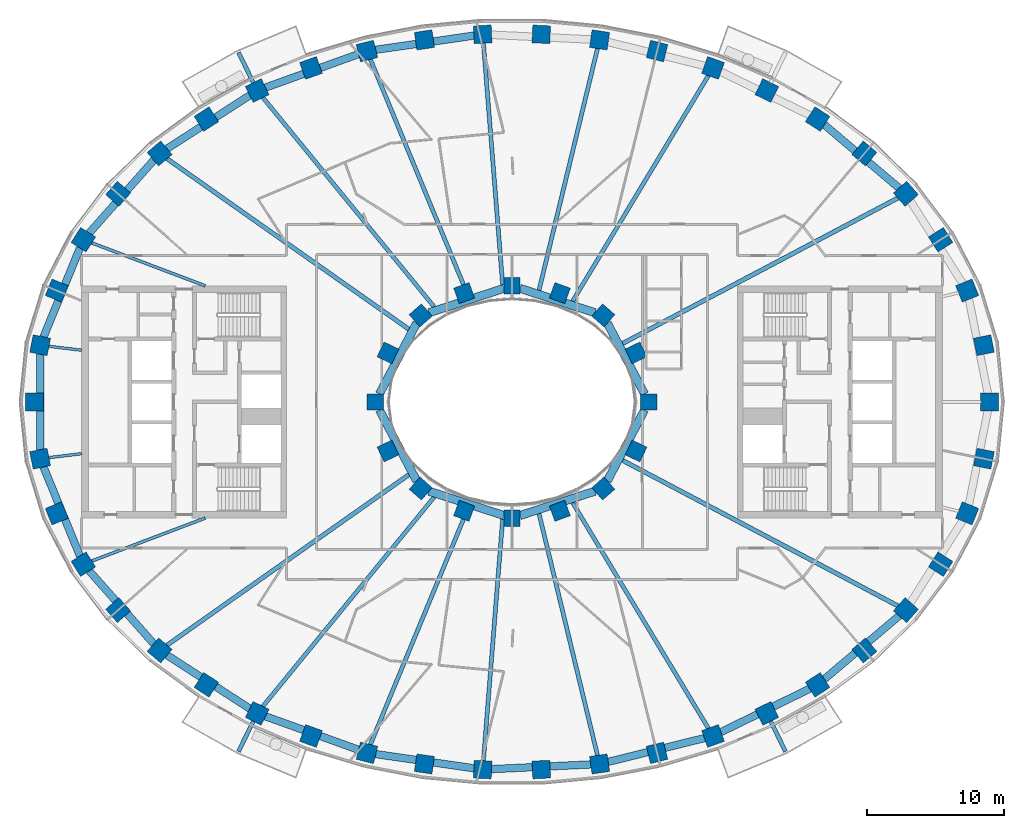
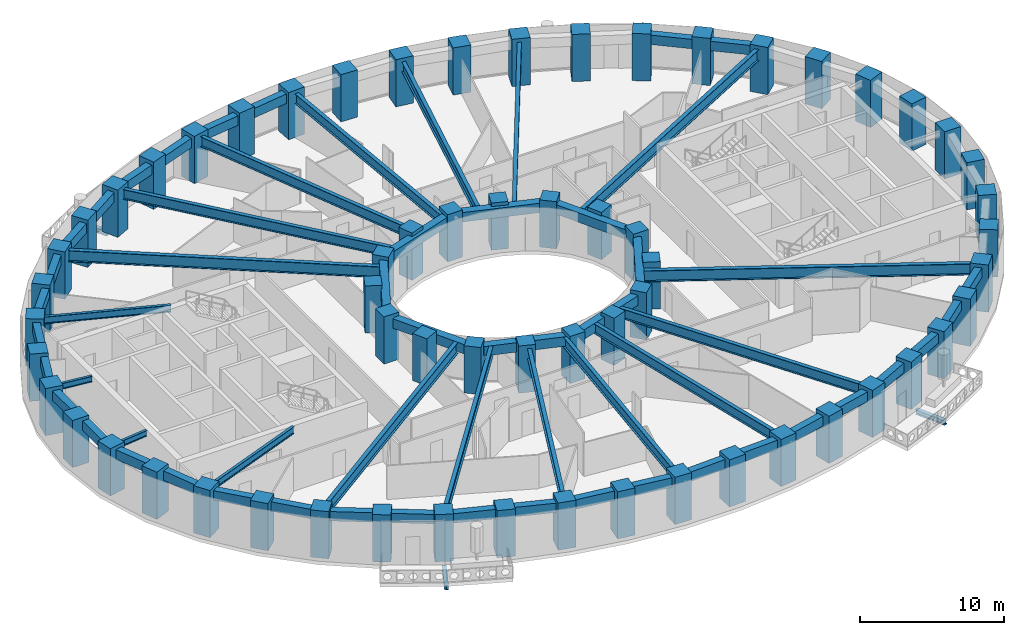
# One storey, part 1 of 15: 62 columns, 45 beams.
"""IFC4 building model written with IfcOpenShell, lengths in metres."""

import ifcopenshell
import ifcopenshell.guid

model = None  # the IFC model being written
_history = None  # IfcOwnerHistory: only IFC2X3 demands one
_inside = {}  # id of a spatial element -> (the spatial element, [elements in it])
_under = {}  # id of a project, library or spatial element -> (it, [spatial elements below it])
_declared = {}  # id of a project -> (the project, [libraries it declares])
_typed = {}  # id of a type object -> (the type object, [elements of that type])
_made_of = {}  # id of a material, layer set ... -> (it, [elements and type objects made of it])


def new_model(schema):
    """Start an empty IFC model of exactly this schema.

    Asked for "IFC4X3", IfcOpenShell would pick the latest addendum, in which some entities
    have other attributes; the version numbers below select the first issue.
    IFC2X3 requires an IfcOwnerHistory on every rooted entity: one is made here for all.
    """
    global model, _history
    if schema == "IFC4X3":
        model = ifcopenshell.file(schema_version=(4, 3, 0, 0))
    else:
        model = ifcopenshell.file(schema=schema)
    _inside.clear()
    _under.clear()
    _declared.clear()
    _typed.clear()
    _made_of.clear()
    _history = None
    if model.schema == "IFC2X3":
        org = make("IfcOrganization", Name="unknown")
        user = make(
            "IfcPersonAndOrganization",
            ThePerson=make("IfcPerson", FamilyName="unknown"),
            TheOrganization=org,
        )
        app = make(
            "IfcApplication",
            ApplicationDeveloper=org,
            Version="unknown",
            ApplicationFullName="unknown",
            ApplicationIdentifier="unknown",
        )
        _history = make(
            "IfcOwnerHistory",
            OwningUser=user,
            OwningApplication=app,
            ChangeAction="ADDED",
            CreationDate=0,
        )
    return model


def make(cls, **values):
    """One entity of the class cls with the attributes given. An attribute that is None is left unset."""
    return model.create_entity(
        cls, **{name: value for name, value in values.items() if value is not None}
    )


def rooted(cls, **values):
    """An entity with a GlobalId (a new one), such as an element, a storey or a relation."""
    return make(cls, GlobalId=ifcopenshell.guid.new(), OwnerHistory=_history, **values)


def si_unit(unit_type, name, prefix=None):
    """IfcSIUnit, for example si_unit("LENGTHUNIT", "METRE", prefix="MILLI")."""
    return make("IfcSIUnit", UnitType=unit_type, Prefix=prefix, Name=name)


def assignment(units):
    """IfcUnitAssignment: the units of a project."""
    return None if units is None else make("IfcUnitAssignment", Units=units)


def point(xyz):
    """IfcCartesianPoint."""
    return None if xyz is None else make("IfcCartesianPoint", Coordinates=xyz)


def direction(xyz):
    """IfcDirection."""
    return None if xyz is None else make("IfcDirection", DirectionRatios=xyz)


def frame(location, z_axis=None, x_axis=None):
    """IfcAxis2Placement3D, a coordinate frame: its origin and axes. An axis left out is left unset."""
    return make(
        "IfcAxis2Placement3D",
        Location=point(location),
        Axis=direction(z_axis),
        RefDirection=direction(x_axis),
    )


def frame_2d(location, x_axis=None):
    """IfcAxis2Placement2D, a coordinate frame in the plane: its origin and x axis."""
    return make(
        "IfcAxis2Placement2D", Location=point(location), RefDirection=direction(x_axis)
    )


def origin():
    """The frame at (0, 0, 0) with its axes left unset."""
    return frame((0.0, 0.0, 0.0))


def origin_2d():
    """The frame at (0, 0) in the plane with its x axis left unset."""
    return frame_2d((0.0, 0.0))


def place(relative_to, where):
    """IfcLocalPlacement: puts the frame where relative to a parent placement (None: the world)."""
    return make(
        "IfcLocalPlacement", PlacementRelTo=relative_to, RelativePlacement=where
    )


def context(
    kind, dimensions, precision=None, world=None, true_north=None, identifier=None
):
    """IfcGeometricRepresentationContext, for example the 3D "Model" context."""
    return make(
        "IfcGeometricRepresentationContext",
        ContextIdentifier=identifier,
        ContextType=kind,
        CoordinateSpaceDimension=dimensions,
        Precision=precision,
        WorldCoordinateSystem=world,
        TrueNorth=true_north,
    )


def subcontext(parent, identifier, kind, view, scale=None):
    """IfcGeometricRepresentationSubContext, for example "Body" below "Model"."""
    return make(
        "IfcGeometricRepresentationSubContext",
        ContextIdentifier=identifier,
        ContextType=kind,
        ParentContext=parent,
        TargetScale=scale,
        TargetView=view,
    )


def project(units=None, contexts=None):
    """IfcProject with its units and contexts."""
    return rooted(
        "IfcProject",
        Name="project",
        RepresentationContexts=contexts,
        UnitsInContext=assignment(units),
    )


def spatial(cls, under=None, at=None, **own):
    """A site, building, storey or space (cls), placed at a placement, below another one or the project."""
    s = rooted(cls, ObjectPlacement=at, **own)
    if under is not None:
        _under.setdefault(under.id(), (under, []))[1].append(s)
    return s


def profile(cls, at=None, kind="AREA", **sizes):
    """A parametric profile (cls). Its sizes go by their IFC names, for example OverallWidth=200.0."""
    return make(cls, ProfileType=kind, Position=at, **sizes)


def rectangle(**sizes):
    """IfcRectangleProfileDef."""
    return profile("IfcRectangleProfileDef", **sizes)


def i_section(**sizes):
    """IfcIShapeProfileDef."""
    return profile("IfcIShapeProfileDef", **sizes)


def extrude(swept, where, along, depth):
    """IfcExtrudedAreaSolid: the profile swept, set in the frame where, extruded along a direction by depth."""
    return make(
        "IfcExtrudedAreaSolid",
        SweptArea=swept,
        Position=where,
        ExtrudedDirection=direction(along),
        Depth=depth,
    )


def shape(context_of_items, identifier, shape_type, items):
    """IfcShapeRepresentation: the items that make up one representation, for example the "Body"."""
    return make(
        "IfcShapeRepresentation",
        ContextOfItems=context_of_items,
        RepresentationIdentifier=identifier,
        RepresentationType=shape_type,
        Items=items,
    )


def material(Name=None, Category=None):
    """IfcMaterial."""
    return make("IfcMaterial", Name=Name, Category=Category)


def material_profile(
    of_material, cross_section, Name=None, Category=None, Priority=None
):
    """IfcMaterialProfile: a cross section and its material."""
    return make(
        "IfcMaterialProfile",
        Name=Name,
        Material=of_material,
        Profile=cross_section,
        Priority=Priority,
        Category=Category,
    )


def profile_set(profiles, Name=None, composite=None):
    """IfcMaterialProfileSet."""
    return make(
        "IfcMaterialProfileSet",
        Name=Name,
        MaterialProfiles=profiles,
        CompositeProfile=composite,
    )


def made_of(thing, what):
    """Note that an element or type object is made of a material, layer set ...; save() writes the relation."""
    if what is not None:
        _made_of.setdefault(what.id(), (what, []))[1].append(thing)
    return thing


def type_object(cls, material=None, **own):
    """A type object (cls), such as IfcWallType, which elements share."""
    return made_of(rooted(cls, **own), material)


def element(
    cls,
    number,
    at=None,
    inside=None,
    cuts=None,
    type_object=None,
    material=None,
    context=None,
    identifier="Body",
    shape_type=None,
    held_by="IfcProductDefinitionShape",
    body=None,
    shapes=None,
    **own,
):
    """One element of the class cls, such as IfcWall. Its Tag is "e" and its number.

    at: its placement. inside: the storey or other place that contains it. cuts: it is an
    opening in that element (IfcRelVoidsElement). A single representation is given by context,
    identifier, shape_type and body (its items); several are given by shapes. held_by: the class
    of the entity that holds the representations. save() writes the other relations.
    """
    e = rooted(cls, Tag="e%d" % number, ObjectPlacement=at, **own)
    if body is not None:
        shapes = [shape(context, identifier, shape_type, body)]
    if shapes is not None:
        e.Representation = make(held_by, Representations=shapes)
    if inside is not None:
        _inside.setdefault(inside.id(), (inside, []))[1].append(e)
    if cuts is not None:
        rooted(
            "IfcRelVoidsElement", RelatingBuildingElement=cuts, RelatedOpeningElement=e
        )
    if type_object is not None:
        _typed.setdefault(type_object.id(), (type_object, []))[1].append(e)
    return made_of(e, material)


def aggregate(whole, parts):
    """IfcRelAggregates: a whole, such as a stair, and the parts it consists of."""
    return rooted("IfcRelAggregates", RelatingObject=whole, RelatedObjects=parts)


def save(model, path):
    """Write the relations noted so far, then the file.

    IfcRelAggregates (storeys below a building ...), IfcRelContainedInSpatialStructure (elements
    in a storey), IfcRelDefinesByType, IfcRelAssociatesMaterial and IfcRelDeclares: one each for
    every whole, place, type object, material and project.
    """
    for whole, parts in _under.values():
        aggregate(whole, parts)
    for where, things in _inside.values():
        rooted(
            "IfcRelContainedInSpatialStructure",
            RelatedElements=things,
            RelatingStructure=where,
        )
    for kind, things in _typed.values():
        rooted("IfcRelDefinesByType", RelatedObjects=things, RelatingType=kind)
    for what, things in _made_of.values():
        rooted("IfcRelAssociatesMaterial", RelatedObjects=things, RelatingMaterial=what)
    for by, libraries in _declared.values():
        rooted("IfcRelDeclares", RelatingContext=by, RelatedDefinitions=libraries)
    model.write(path)


model = new_model("IFC4")

# Units and contexts
model_context = context("Model", 3, precision=1e-05, world=origin(), true_north=direction((0.0, 1.0)))
body_context = subcontext(model_context, "Body", "Model", "MODEL_VIEW")
ifc_project = project(units=[si_unit("LENGTHUNIT", "METRE"), si_unit("AREAUNIT", "SQUARE_METRE"), si_unit("VOLUMEUNIT", "CUBIC_METRE"), si_unit("PLANEANGLEUNIT", "RADIAN"), si_unit("MASSUNIT", "GRAM", prefix="KILO")], contexts=[model_context])

# Site, building, storey
site_placement = place(None, origin())
site = spatial("IfcSite", under=ifc_project, at=site_placement, CompositionType="ELEMENT")
building_placement = place(site_placement, origin())
building = spatial("IfcBuilding", under=site, at=building_placement, Name="Noorbagh Ring Tower", CompositionType="ELEMENT")
storey_placement = place(building_placement, frame((0.0, 0.0, 92.0)))
storey = spatial("IfcBuildingStorey", under=building, at=storey_placement, Name="L20", CompositionType="ELEMENT", Elevation=92.0)

# Columns
ifc_material_1 = material(Name="Concrete C60/75", Category="concrete")
ifc_material_profile_1 = material_profile(ifc_material_1, rectangle(XDim=1.300048828125, YDim=1.300048828125, at=origin_2d()), Name="RC1300x1300")
ifc_profile_set_1 = profile_set([ifc_material_profile_1], Name="Concrete C60/75")
column_type_1 = type_object("IfcColumnType", Name="STR-COL-RC1300x1300-C60-75", PredefinedType="COLUMN", material=ifc_profile_set_1)
for number, where, z_axis, x_axis, name in (
    (1, (34.944580078125, 0.0, 0.0), (0.0, 0.0, 1.0), (0.0, 1.0, 0.0), "L20/col/R1-01"),
    (2, (34.52685546875, 4.150634765625, 0.0), (0.0, 0.0, 1.0), (-0.19723040178, 0.9803571638, 0.0), "L20/col/R1-02"),
    (3, (33.30517578125, 8.1494140625, 0.0), (0.0, 0.0, 1.0), (-0.378989499959, 0.925400971969, 0.0), "L20/col/R1-03"),
    (4, (31.364990234375, 11.87109375, 0.0), (0.0, 0.0, 1.0), (-0.535190403059, 0.844731455833, 0.0), "L20/col/R1-04"),
    (5, (28.81884765625, 15.23046875, 0.0), (0.0, 0.0, 1.0), (-0.662635642662, 0.748941923699, 0.0), "L20/col/R1-05"),
    (6, (25.78271484375, 18.180419921875, 0.0), (0.0, 0.0, 1.0), (-0.763035199656, 0.646356932419, 0.0), "L20/col/R1-06"),
    (7, (22.362060546875, 20.699951171875, 0.0), (0.0, 0.0, 1.0), (-0.840247639643, 0.542202825586, 0.0), "L20/col/R1-07"),
    (8, (18.646240234375, 22.785400390625, 0.0), (0.0, 0.0, 1.0), (-0.898399080868, 0.439180021741, 0.0), "L20/col/R1-08"),
    (9, (14.70947265625, 24.44091796875, 0.0), (0.0, 0.0, 1.0), (-0.941024726094, 0.338337797003, 0.0), "L20/col/R1-09"),
    (10, (10.61328125, 25.673583984375, 0.0), (0.0, 0.0, 1.0), (-0.970829360981, 0.239771457553, 0.0), "L20/col/R1-10"),
    (11, (6.4091796875, 26.49072265625, 0.0), (0.0, 0.0, 1.0), (-0.989713114048, 0.143066249975, 0.0), "L20/col/R1-11"),
    (12, (2.14306640625, 26.89794921875, 0.0), (0.0, 0.0, 1.0), (-0.998868731212, 0.047552684538, 0.0), "L20/col/R1-12"),
    (13, (-2.14306640625, 26.89794921875, 0.0), (0.0, 0.0, 1.0), (-0.998868731212, -0.047552684538, 0.0), "L20/col/R1-13"),
    (14, (-6.4091796875, 26.49072265625, 0.0), (0.0, 0.0, 1.0), (-0.989713114048, -0.143066249975, 0.0), "L20/col/R1-14"),
    (15, (-10.61328125, 25.673583984375, 0.0), (0.0, 0.0, 1.0), (-0.970829360981, -0.239771457553, 0.0), "L20/col/R1-15"),
    (16, (-14.70947265625, 24.44091796875, 0.0), (0.0, 0.0, 1.0), (-0.941024726094, -0.338337797003, 0.0), "L20/col/R1-16"),
    (17, (-18.646240234375, 22.785400390625, 0.0), (0.0, 0.0, 1.0), (-0.898399080868, -0.439180021741, 0.0), "L20/col/R1-17"),
    (18, (-22.362060546875, 20.699951171875, 0.0), (0.0, 0.0, 1.0), (-0.840247639643, -0.542202825586, 0.0), "L20/col/R1-18"),
    (19, (-25.78271484375, 18.180419921875, 0.0), (0.0, 0.0, 1.0), (-0.763035199656, -0.646356932419, 0.0), "L20/col/R1-19"),
    (20, (-28.81884765625, 15.23046875, 0.0), (0.0, 0.0, 1.0), (-0.662635642662, -0.748941923699, 0.0), "L20/col/R1-20"),
    (21, (-31.364990234375, 11.87109375, 0.0), (0.0, 0.0, 1.0), (-0.535190403059, -0.844731455833, 0.0), "L20/col/R1-21"),
    (22, (-33.30517578125, 8.1494140625, 0.0), (0.0, 0.0, 1.0), (-0.378989499959, -0.925400971969, 0.0), "L20/col/R1-22"),
    (23, (-34.52685546875, 4.150634765625, 0.0), (0.0, 0.0, 1.0), (-0.19723040178, -0.9803571638, 0.0), "L20/col/R1-23"),
    (24, (-34.944580078125, 0.0, 0.0), (0.0, 0.0, 1.0), (0.0, -1.0, 0.0), "L20/col/R1-24"),
    (25, (-34.52685546875, -4.150634765625, 0.0), (0.0, 0.0, 1.0), (0.19723040178, -0.9803571638, 0.0), "L20/col/R1-25"),
    (26, (-33.30517578125, -8.1494140625, 0.0), (0.0, 0.0, 1.0), (0.378989499959, -0.925400971969, 0.0), "L20/col/R1-26"),
    (27, (-31.364990234375, -11.87109375, 0.0), (0.0, 0.0, 1.0), (0.535190403059, -0.844731455833, 0.0), "L20/col/R1-27"),
    (28, (-28.81884765625, -15.23046875, 0.0), (0.0, 0.0, 1.0), (0.662635642662, -0.748941923699, 0.0), "L20/col/R1-28"),
    (29, (-25.78271484375, -18.180419921875, 0.0), (0.0, 0.0, 1.0), (0.763035199656, -0.646356932419, 0.0), "L20/col/R1-29"),
    (30, (-22.362060546875, -20.699951171875, 0.0), (0.0, 0.0, 1.0), (0.840247639643, -0.542202825586, 0.0), "L20/col/R1-30"),
    (31, (-18.646240234375, -22.785400390625, 0.0), (0.0, 0.0, 1.0), (0.898399080868, -0.439180021741, 0.0), "L20/col/R1-31"),
    (32, (-14.70947265625, -24.44091796875, 0.0), (0.0, 0.0, 1.0), (0.941024726094, -0.338337797003, 0.0), "L20/col/R1-32"),
    (33, (-10.61328125, -25.673583984375, 0.0), (0.0, 0.0, 1.0), (0.970829360981, -0.239771457553, 0.0), "L20/col/R1-33"),
    (34, (-6.4091796875, -26.49072265625, 0.0), (0.0, 0.0, 1.0), (0.989713114048, -0.143066249975, 0.0), "L20/col/R1-34"),
    (35, (-2.14306640625, -26.89794921875, 0.0), (0.0, 0.0, 1.0), (0.998868731212, -0.047552684538, 0.0), "L20/col/R1-35"),
    (36, (2.14306640625, -26.89794921875, 0.0), (0.0, 0.0, 1.0), (0.998868731212, 0.047552684538, 0.0), "L20/col/R1-36"),
    (37, (6.4091796875, -26.49072265625, 0.0), (0.0, 0.0, 1.0), (0.989713114048, 0.143066249975, 0.0), "L20/col/R1-37"),
    (38, (10.61328125, -25.673583984375, 0.0), (0.0, 0.0, 1.0), (0.970829360981, 0.239771457553, 0.0), "L20/col/R1-38"),
    (39, (14.70947265625, -24.44091796875, 0.0), (0.0, 0.0, 1.0), (0.941024726094, 0.338337797003, 0.0), "L20/col/R1-39"),
    (40, (18.646240234375, -22.785400390625, 0.0), (0.0, 0.0, 1.0), (0.898399080868, 0.439180021741, 0.0), "L20/col/R1-40"),
    (41, (22.362060546875, -20.699951171875, 0.0), (0.0, 0.0, 1.0), (0.840247639643, 0.542202825586, 0.0), "L20/col/R1-41"),
    (42, (25.78271484375, -18.180419921875, 0.0), (0.0, 0.0, 1.0), (0.763035199656, 0.646356932419, 0.0), "L20/col/R1-42"),
    (43, (28.81884765625, -15.23046875, 0.0), (0.0, 0.0, 1.0), (0.662635642662, 0.748941923699, 0.0), "L20/col/R1-43"),
    (44, (31.364990234375, -11.87109375, 0.0), (0.0, 0.0, 1.0), (0.535190403059, 0.844731455833, 0.0), "L20/col/R1-44"),
    (45, (33.30517578125, -8.1494140625, 0.0), (0.0, 0.0, 1.0), (0.378989499959, 0.925400971969, 0.0), "L20/col/R1-45"),
    (46, (34.52685546875, -4.150634765625, 0.0), (0.0, 0.0, 1.0), (0.19723040178, 0.9803571638, 0.0), "L20/col/R1-46"),
):
    element("IfcColumn", number, at=place(storey_placement, frame(where, z_axis=z_axis, x_axis=x_axis)), inside=storey, type_object=column_type_1, Name=name, PredefinedType="COLUMN", context=body_context, shape_type="SweptSolid", body=[
        extrude(rectangle(XDim=1.300048828125, YDim=1.300048828125, at=origin_2d()), origin(), (0.0, 0.0, 1.0), 4.0),
    ])
ifc_material_2 = material(Name="Concrete C60/75", Category="concrete")
ifc_material_profile_2 = material_profile(ifc_material_2, rectangle(XDim=1.199951171875, YDim=1.199951171875, at=origin_2d()), Name="RC1200x1200")
ifc_profile_set_2 = profile_set([ifc_material_profile_2], Name="Concrete C60/75")
column_type_2 = type_object("IfcColumnType", Name="STR-ICOL-RC1200x1200-C60-75", PredefinedType="COLUMN", material=ifc_profile_set_2)
for number, where, z_axis, x_axis, name in (
    (47, (10.00830078125, 0.0, 0.0), (0.0, 0.0, 1.0), (0.0, 1.0, 0.0), "L20/col/IR2-W01"),
    (48, (9.07568359375, 3.58837890625, 0.0), (0.0, 0.0, 1.0), (-0.428666979171, 0.903462573087, 0.0), "L20/col/IR2-W03"),
    (49, (6.68212890625, 6.333740234375, 0.0), (0.0, 0.0, 1.0), (-0.75102249095, 0.660276622399, 0.0), "L20/col/IR2-W05"),
    (50, (3.5009765625, 7.967041015625, 0.0), (0.0, 0.0, 1.0), (-0.939019578916, 0.343863679984, 0.0), "L20/col/IR2-W07"),
    (51, (0.0, 8.5029296875, 0.0), (0.0, 0.0, 1.0), (-1.0, 0.0, 0.0), "L20/col/IR2-W09"),
    (52, (-3.5009765625, 7.967041015625, 0.0), (0.0, 0.0, 1.0), (-0.939019578916, -0.343863679984, 0.0), "L20/col/IR2-W11"),
    (53, (-6.68212890625, 6.333740234375, 0.0), (0.0, 0.0, 1.0), (-0.75102249095, -0.660276622399, 0.0), "L20/col/IR2-W13"),
    (54, (-9.07568359375, 3.58837890625, 0.0), (0.0, 0.0, 1.0), (-0.428666979171, -0.903462573087, 0.0), "L20/col/IR2-W15"),
    (55, (-10.00830078125, 0.0, 0.0), (0.0, 0.0, 1.0), (0.0, -1.0, 0.0), "L20/col/IR2-W17"),
    (56, (-9.07568359375, -3.58837890625, 0.0), (0.0, 0.0, 1.0), (0.428666979171, -0.903462573087, 0.0), "L20/col/IR2-W19"),
    (57, (-6.68212890625, -6.333740234375, 0.0), (0.0, 0.0, 1.0), (0.75102249095, -0.660276622399, 0.0), "L20/col/IR2-W21"),
    (58, (-3.5009765625, -7.967041015625, 0.0), (0.0, 0.0, 1.0), (0.939019578916, -0.343863679984, 0.0), "L20/col/IR2-W23"),
    (59, (0.0, -8.5029296875, 0.0), (0.0, 0.0, 1.0), (1.0, 0.0, 0.0), "L20/col/IR2-W25"),
    (60, (3.5009765625, -7.967041015625, 0.0), (0.0, 0.0, 1.0), (0.939019578916, 0.343863679984, 0.0), "L20/col/IR2-W27"),
    (61, (6.68212890625, -6.333740234375, 0.0), (0.0, 0.0, 1.0), (0.75102249095, 0.660276622399, 0.0), "L20/col/IR2-W29"),
    (62, (9.07568359375, -3.58837890625, 0.0), (0.0, 0.0, 1.0), (0.428666979171, 0.903462573087, 0.0), "L20/col/IR2-W31"),
):
    element("IfcColumn", number, at=place(storey_placement, frame(where, z_axis=z_axis, x_axis=x_axis)), inside=storey, type_object=column_type_2, Name=name, PredefinedType="COLUMN", context=body_context, shape_type="SweptSolid", body=[
        extrude(rectangle(XDim=1.199951171875, YDim=1.199951171875, at=origin_2d()), origin(), (0.0, 0.0, 1.0), 4.0),
    ])

# Beams
ifc_material_3 = material(Name="Steel S355", Category="steel")
ifc_material_profile_3 = material_profile(ifc_material_3, i_section(OverallWidth=0.300048828125, OverallDepth=0.39990234375, WebThickness=0.013427734375, FlangeThickness=0.02392578125, FilletRadius=0.027099609375, at=origin_2d()), Name="HEB400")
ifc_profile_set_3 = profile_set([ifc_material_profile_3], Name="Steel S355")
beam_type_1 = type_object("IfcBeamType", Name="STR-BALCONY-BRACKET-HEB400", PredefinedType="BEAM", material=ifc_profile_set_3)
for number, where, z_axis, x_axis, name in (
    (63, (-18.923095703125, 23.351318359375, -0.5), (-0.439226053648, 0.89837657683, 0.0), (-0.89837657683, -0.439226053648, 0.0), "Balcony bracket beam BN05"),
    (64, (-18.923095703125, -23.351318359375, -0.5), (-0.439226053648, -0.89837657683, 0.0), (0.89837657683, -0.439226053648, 0.0), "Balcony bracket beam BS02"),
    (65, (18.923095703125, -23.351318359375, -0.5), (0.439226053648, -0.89837657683, 0.0), (0.89837657683, 0.439226053648, 0.0), "Balcony bracket beam BS05"),
):
    element("IfcBeam", number, at=place(storey_placement, frame(where, z_axis=z_axis, x_axis=x_axis)), inside=storey, type_object=beam_type_1, Name=name, PredefinedType="BEAM", context=body_context, shape_type="SweptSolid", body=[
        extrude(i_section(OverallWidth=0.300048828125, OverallDepth=0.39990234375, WebThickness=0.013427734375, FlangeThickness=0.02392578125, FilletRadius=0.027099609375, at=origin_2d()), origin(), (0.0, 0.0, 1.0), 2.47509765625),
    ])
ifc_material_4 = material(Name="Steel S355", Category="steel")
ifc_material_profile_4 = material_profile(ifc_material_4, i_section(OverallWidth=0.199951171875, OverallDepth=0.5, WebThickness=0.01025390625, FlangeThickness=0.01611328125, FilletRadius=0.02099609375, at=origin_2d()), Name="IPE500")
ifc_profile_set_4 = profile_set([ifc_material_profile_4], Name="Steel S355")
beam_type_2 = type_object("IfcBeamType", Name="STR-RAD-IPE500", PredefinedType="BEAM", material=ifc_profile_set_4)
for number, where, z_axis, x_axis, name in (
    (66, (-33.899169921875, 4.0751953125, 3.449951171875), (0.992852635549, -0.119346738892, 0.0), (0.119346738892, 0.992852635549, 0.0), "L20/bm/RD23"),
    (67, (-33.899169921875, -4.0751953125, 3.449951171875), (0.992852635549, 0.119346738892, 0.0), (-0.119346738892, 0.992852635549, 0.0), "L20/bm/RD25"),
):
    element("IfcBeam", number, at=place(storey_placement, frame(where, z_axis=z_axis, x_axis=x_axis)), inside=storey, type_object=beam_type_2, Name=name, PredefinedType="BEAM", context=body_context, shape_type="SweptSolid", body=[
        extrude(i_section(OverallWidth=0.199951171875, OverallDepth=0.5, WebThickness=0.01025390625, FlangeThickness=0.01611328125, FilletRadius=0.02099609375, at=origin_2d()), origin(), (0.0, 0.0, 1.0), 2.436279296875),
    ])
ifc_material_5 = material(Name="Steel S355", Category="steel")
ifc_material_profile_5 = material_profile(ifc_material_5, i_section(OverallWidth=0.219970703125, OverallDepth=0.60009765625, WebThickness=0.011962890625, FlangeThickness=0.01904296875, FilletRadius=0.02392578125, at=origin_2d()), Name="IPE600")
ifc_profile_set_5 = profile_set([ifc_material_profile_5], Name="Steel S355")
beam_type_3 = type_object("IfcBeamType", Name="STR-RAD-IPE600", PredefinedType="BEAM", material=ifc_profile_set_5)
for number, where, z_axis, x_axis, name in (
    (68, (-30.762939453125, 11.64306640625, 3.39990234375), (0.935256068659, -0.353971871815, 0.0), (0.353971871815, 0.935256068659, 0.0), "L20/bm/RD21"),
    (69, (-30.762939453125, -11.64306640625, 3.39990234375), (0.935256068659, 0.353971871815, 0.0), (-0.353971871815, 0.935256068659, 0.0), "L20/bm/RD27"),
):
    element("IfcBeam", number, at=place(storey_placement, frame(where, z_axis=z_axis, x_axis=x_axis)), inside=storey, type_object=beam_type_3, Name=name, PredefinedType="BEAM", context=body_context, shape_type="SweptSolid", body=[
        extrude(i_section(OverallWidth=0.219970703125, OverallDepth=0.60009765625, WebThickness=0.011962890625, FlangeThickness=0.01904296875, FilletRadius=0.02392578125, at=origin_2d()), origin(), (0.0, 0.0, 1.0), 8.8994140625),
    ])
ifc_material_6 = material(Name="Steel S355", Category="steel")
ifc_material_profile_6 = material_profile(ifc_material_6, i_section(OverallWidth=0.300048828125, OverallDepth=0.85009765625, WebThickness=0.013916015625, FlangeThickness=0.028076171875, at=origin_2d()), Name="PG850x300x14x28")
ifc_profile_set_6 = profile_set([ifc_material_profile_6], Name="Steel S355")
beam_type_4 = type_object("IfcBeamType", Name="STR-RAD-PG850x300x14x28", PredefinedType="BEAM", material=ifc_profile_set_6)
beam_1_placement = place(storey_placement, frame((14.378173828125, 23.89013671875, 3.27490234375), z_axis=(-0.515660214946, -0.85679317383, 0.0), x_axis=(0.85679317383, -0.515660214946, 0.0)))
element("IfcBeam", 70, at=beam_1_placement, inside=storey, type_object=beam_type_4, Name="L20/bm/RD09", PredefinedType="BEAM", context=body_context, shape_type="SweptSolid", body=[
    extrude(i_section(OverallWidth=0.300048828125, OverallDepth=0.85009765625, WebThickness=0.013916015625, FlangeThickness=0.028076171875, at=origin_2d()), origin(), (0.0, 0.0, 1.0), 19.293212890625),
])
beam_2_placement = place(storey_placement, frame((6.260498046875, 25.875732421875, 3.27490234375), z_axis=(-0.235164579981, -0.971955564994, 0.0), x_axis=(0.971955564994, -0.235164579981, 0.0)))
element("IfcBeam", 71, at=beam_2_placement, inside=storey, type_object=beam_type_4, Name="L20/bm/RD11", PredefinedType="BEAM", context=body_context, shape_type="SweptSolid", body=[
    extrude(i_section(OverallWidth=0.300048828125, OverallDepth=0.85009765625, WebThickness=0.013916015625, FlangeThickness=0.028076171875, at=origin_2d()), origin(), (0.0, 0.0, 1.0), 18.230224609375),
])
beam_3_placement = place(storey_placement, frame((-2.093017578125, 26.26953125, 3.27490234375), z_axis=(0.079419392273, -0.996841291345, 0.0), x_axis=(0.996841291345, 0.079419392273, 0.0)))
element("IfcBeam", 72, at=beam_3_placement, inside=storey, type_object=beam_type_4, Name="L20/bm/RD13", PredefinedType="BEAM", context=body_context, shape_type="SweptSolid", body=[
    extrude(i_section(OverallWidth=0.300048828125, OverallDepth=0.85009765625, WebThickness=0.013916015625, FlangeThickness=0.028076171875, at=origin_2d()), origin(), (0.0, 0.0, 1.0), 17.749755859375),
])
beam_4_placement = place(storey_placement, frame((-10.36962890625, 25.084716796875, 3.27490234375), z_axis=(0.38202515603, -0.924151924826, 0.0), x_axis=(0.924151924826, 0.38202515603, 0.0)))
element("IfcBeam", 73, at=beam_4_placement, inside=storey, type_object=beam_type_4, Name="L20/bm/RD15", PredefinedType="BEAM", context=body_context, shape_type="SweptSolid", body=[
    extrude(i_section(OverallWidth=0.300048828125, OverallDepth=0.85009765625, WebThickness=0.013916015625, FlangeThickness=0.028076171875, at=origin_2d()), origin(), (0.0, 0.0, 1.0), 18.750244140625),
])
for number, where, z_axis, x_axis, name in (
    (74, (-18.236083984375, 22.2841796875, 3.27490234375), (0.6333069067, -0.773900744234, 0.0), (0.773900744234, 0.6333069067, 0.0), "L20/bm/RD17"),
    (75, (-18.236083984375, -22.2841796875, 3.27490234375), (0.6333069067, 0.773900744234, 0.0), (-0.773900744234, 0.6333069067, 0.0), "L20/bm/RD31"),
):
    element("IfcBeam", number, at=place(storey_placement, frame(where, z_axis=z_axis, x_axis=x_axis)), inside=storey, type_object=beam_type_4, Name=name, PredefinedType="BEAM", context=body_context, shape_type="SweptSolid", body=[
        extrude(i_section(OverallWidth=0.300048828125, OverallDepth=0.85009765625, WebThickness=0.013916015625, FlangeThickness=0.028076171875, at=origin_2d()), origin(), (0.0, 0.0, 1.0), 19.811767578125),
    ])
beam_5_placement = place(storey_placement, frame((-10.36962890625, -25.084716796875, 3.27490234375), z_axis=(0.38202515603, 0.924151924826, 0.0), x_axis=(-0.924151924826, 0.38202515603, 0.0)))
element("IfcBeam", 76, at=beam_5_placement, inside=storey, type_object=beam_type_4, Name="L20/bm/RD33", PredefinedType="BEAM", context=body_context, shape_type="SweptSolid", body=[
    extrude(i_section(OverallWidth=0.300048828125, OverallDepth=0.85009765625, WebThickness=0.013916015625, FlangeThickness=0.028076171875, at=origin_2d()), origin(), (0.0, 0.0, 1.0), 18.750244140625),
])
beam_6_placement = place(storey_placement, frame((-2.093017578125, -26.26953125, 3.27490234375), z_axis=(0.079419392273, 0.996841291345, 0.0), x_axis=(-0.996841291345, 0.079419392273, 0.0)))
element("IfcBeam", 77, at=beam_6_placement, inside=storey, type_object=beam_type_4, Name="L20/bm/RD35", PredefinedType="BEAM", context=body_context, shape_type="SweptSolid", body=[
    extrude(i_section(OverallWidth=0.300048828125, OverallDepth=0.85009765625, WebThickness=0.013916015625, FlangeThickness=0.028076171875, at=origin_2d()), origin(), (0.0, 0.0, 1.0), 17.749755859375),
])
beam_7_placement = place(storey_placement, frame((6.260498046875, -25.875732421875, 3.27490234375), z_axis=(-0.235164579981, 0.971955564994, 0.0), x_axis=(-0.971955564994, -0.235164579981, 0.0)))
element("IfcBeam", 78, at=beam_7_placement, inside=storey, type_object=beam_type_4, Name="L20/bm/RD37", PredefinedType="BEAM", context=body_context, shape_type="SweptSolid", body=[
    extrude(i_section(OverallWidth=0.300048828125, OverallDepth=0.85009765625, WebThickness=0.013916015625, FlangeThickness=0.028076171875, at=origin_2d()), origin(), (0.0, 0.0, 1.0), 18.230224609375),
])
beam_8_placement = place(storey_placement, frame((14.378173828125, -23.89013671875, 3.27490234375), z_axis=(-0.515660214946, 0.85679317383, 0.0), x_axis=(-0.85679317383, -0.515660214946, 0.0)))
element("IfcBeam", 79, at=beam_8_placement, inside=storey, type_object=beam_type_4, Name="L20/bm/RD39", PredefinedType="BEAM", context=body_context, shape_type="SweptSolid", body=[
    extrude(i_section(OverallWidth=0.300048828125, OverallDepth=0.85009765625, WebThickness=0.013916015625, FlangeThickness=0.028076171875, at=origin_2d()), origin(), (0.0, 0.0, 1.0), 19.293212890625),
])
ifc_material_7 = material(Name="Steel S355", Category="steel")
ifc_material_profile_7 = material_profile(ifc_material_7, i_section(OverallWidth=0.320068359375, OverallDepth=0.949951171875, WebThickness=0.01611328125, FlangeThickness=0.030029296875, at=origin_2d()), Name="PG950x320x16x30")
ifc_profile_set_7 = profile_set([ifc_material_profile_7], Name="Steel S355")
beam_type_5 = type_object("IfcBeamType", Name="STR-RAD-PG950x320x16x30", PredefinedType="BEAM", material=ifc_profile_set_7)
beam_9_placement = place(storey_placement, frame((28.2451171875, 14.92724609375, 3.22509765625), z_axis=(-0.8841222966, -0.467255566746, 0.0), x_axis=(0.467255566746, -0.8841222966, 0.0)))
element("IfcBeam", 80, at=beam_9_placement, inside=storey, type_object=beam_type_5, Name="L20/bm/RD05", PredefinedType="BEAM", context=body_context, shape_type="SweptSolid", body=[
    extrude(i_section(OverallWidth=0.320068359375, OverallDepth=0.949951171875, WebThickness=0.01611328125, FlangeThickness=0.030029296875, at=origin_2d()), origin(), (0.0, 0.0, 1.0), 22.80615234375),
])
for number, where, z_axis, x_axis, name in (
    (81, (-25.250244140625, 17.804931640625, 3.22509765625), (0.817253985622, -0.57627764401, 0.0), (0.57627764401, 0.817253985622, 0.0), "L20/bm/RD19"),
    (82, (-25.250244140625, -17.804931640625, 3.22509765625), (0.817253985622, 0.57627764401, 0.0), (-0.57627764401, 0.817253985622, 0.0), "L20/bm/RD29"),
):
    element("IfcBeam", number, at=place(storey_placement, frame(where, z_axis=z_axis, x_axis=x_axis)), inside=storey, type_object=beam_type_5, Name=name, PredefinedType="BEAM", context=body_context, shape_type="SweptSolid", body=[
        extrude(i_section(OverallWidth=0.320068359375, OverallDepth=0.949951171875, WebThickness=0.01611328125, FlangeThickness=0.030029296875, at=origin_2d()), origin(), (0.0, 0.0, 1.0), 21.677001953125),
    ])
beam_10_placement = place(storey_placement, frame((28.2451171875, -14.92724609375, 3.22509765625), z_axis=(-0.8841222966, 0.467255566746, 0.0), x_axis=(-0.467255566746, -0.8841222966, 0.0)))
element("IfcBeam", 83, at=beam_10_placement, inside=storey, type_object=beam_type_5, Name="L20/bm/RD43", PredefinedType="BEAM", context=body_context, shape_type="SweptSolid", body=[
    extrude(i_section(OverallWidth=0.320068359375, OverallDepth=0.949951171875, WebThickness=0.01611328125, FlangeThickness=0.030029296875, at=origin_2d()), origin(), (0.0, 0.0, 1.0), 22.80615234375),
])
ifc_material_8 = material(Name="Concrete C40/50", Category="concrete")
ifc_material_profile_8 = material_profile(ifc_material_8, rectangle(XDim=0.60009765625, YDim=0.800048828125, at=origin_2d()), Name="RC600x800")
ifc_profile_set_8 = profile_set([ifc_material_profile_8], Name="Concrete C40/50")
beam_type_6 = type_object("IfcBeamType", Name="STR-RB-RC600x800-C40-50", PredefinedType="BEAM", material=ifc_profile_set_8)
beam_11_placement = place(storey_placement, frame((9.70263671875, 0.582275390625, 3.300048828125), z_axis=(-0.464930830504, 0.885347007024, 0.0), x_axis=(-0.885347007024, -0.464930830504, 0.0)))
element("IfcBeam", 84, at=beam_11_placement, inside=storey, type_object=beam_type_6, Name="L20/bm/RG01", PredefinedType="BEAM", context=body_context, shape_type="SweptSolid", body=[
    extrude(rectangle(XDim=0.60009765625, YDim=0.800048828125, at=origin_2d()), origin(), (0.0, 0.0, 1.0), 5.873779296875),
])
for number, where, z_axis, x_axis, name in (
    (85, (6.07958984375, 6.529296875, 3.300048828125), (-0.951141392906, 0.308755648856, 0.0), (-0.308755648856, -0.951141392906, 0.0), "L20/bm/RG03"),
    (86, (-0.5810546875, 8.314208984375, 3.300048828125), (-0.951141392906, -0.308755648856, 0.0), (0.308755648856, -0.951141392906, 0.0), "L20/bm/RG05"),
):
    element("IfcBeam", number, at=place(storey_placement, frame(where, z_axis=z_axis, x_axis=x_axis)), inside=storey, type_object=beam_type_6, Name=name, PredefinedType="BEAM", context=body_context, shape_type="SweptSolid", body=[
        extrude(rectangle(XDim=0.60009765625, YDim=0.800048828125, at=origin_2d()), origin(), (0.0, 0.0, 1.0), 5.781005859375),
    ])
for number, where, z_axis, x_axis, name in (
    (87, (-6.9716796875, 5.78271484375, 3.300048828125), (-0.464930830504, -0.885347007024, 0.0), (0.885347007024, -0.464930830504, 0.0), "L20/bm/RG07"),
    (88, (-9.70263671875, -0.582275390625, 3.300048828125), (0.464930830504, -0.885347007024, 0.0), (0.885347007024, 0.464930830504, 0.0), "L20/bm/RG09"),
):
    element("IfcBeam", number, at=place(storey_placement, frame(where, z_axis=z_axis, x_axis=x_axis)), inside=storey, type_object=beam_type_6, Name=name, PredefinedType="BEAM", context=body_context, shape_type="SweptSolid", body=[
        extrude(rectangle(XDim=0.60009765625, YDim=0.800048828125, at=origin_2d()), origin(), (0.0, 0.0, 1.0), 5.873779296875),
    ])
for number, where, z_axis, x_axis, name in (
    (89, (-6.07958984375, -6.529296875, 3.300048828125), (0.951141392906, -0.308755648856, 0.0), (0.308755648856, 0.951141392906, 0.0), "L20/bm/RG11"),
    (90, (0.5810546875, -8.314208984375, 3.300048828125), (0.951141392906, 0.308755648856, 0.0), (-0.308755648856, 0.951141392906, 0.0), "L20/bm/RG13"),
):
    element("IfcBeam", number, at=place(storey_placement, frame(where, z_axis=z_axis, x_axis=x_axis)), inside=storey, type_object=beam_type_6, Name=name, PredefinedType="BEAM", context=body_context, shape_type="SweptSolid", body=[
        extrude(rectangle(XDim=0.60009765625, YDim=0.800048828125, at=origin_2d()), origin(), (0.0, 0.0, 1.0), 5.781005859375),
    ])
beam_12_placement = place(storey_placement, frame((6.9716796875, -5.78271484375, 3.300048828125), z_axis=(0.464930830504, 0.885347007024, 0.0), x_axis=(-0.885347007024, 0.464930830504, 0.0)))
element("IfcBeam", 91, at=beam_12_placement, inside=storey, type_object=beam_type_6, Name="L20/bm/RG15", PredefinedType="BEAM", context=body_context, shape_type="SweptSolid", body=[
    extrude(rectangle(XDim=0.60009765625, YDim=0.800048828125, at=origin_2d()), origin(), (0.0, 0.0, 1.0), 5.873779296875),
])
ifc_material_9 = material(Name="Concrete C40/50", Category="concrete")
ifc_material_profile_9 = material_profile(ifc_material_9, rectangle(XDim=0.550048828125, YDim=0.800048828125, at=origin_2d()), Name="RC550x800")
ifc_profile_set_9 = profile_set([ifc_material_profile_9], Name="Concrete C40/50")
beam_type_7 = type_object("IfcBeamType", Name="STR-SB-RC550x800-C40-50", PredefinedType="BEAM", material=ifc_profile_set_9)
beam_13_placement = place(storey_placement, frame((28.3330078125, 15.64208984375, 3.300048828125), z_axis=(-0.76303325952, 0.646359222775, 0.0), x_axis=(-0.646359222775, -0.76303325952, 0.0)))
element("IfcBeam", 92, at=beam_13_placement, inside=storey, type_object=beam_type_7, Name="L20/bm/SP05", PredefinedType="BEAM", context=body_context, shape_type="SweptSolid", body=[
    extrude(rectangle(XDim=0.550048828125, YDim=0.800048828125, at=origin_2d()), origin(), (0.0, 0.0, 1.0), 7.18994140625),
])
beam_14_placement = place(storey_placement, frame((-2.769775390625, 26.807373046875, 3.300048828125), z_axis=(-0.989713086327, -0.143066441741, 0.0), x_axis=(0.143066441741, -0.989713086327, 0.0)))
element("IfcBeam", 93, at=beam_14_placement, inside=storey, type_object=beam_type_7, Name="L20/bm/SP13", PredefinedType="BEAM", context=body_context, shape_type="SweptSolid", body=[
    extrude(rectangle(XDim=0.550048828125, YDim=0.800048828125, at=origin_2d()), origin(), (0.0, 0.0, 1.0), 7.291748046875),
])
beam_15_placement = place(storey_placement, frame((-11.209228515625, 25.459228515625, 3.300048828125), z_axis=(-0.941024767496, -0.33833768185, 0.0), x_axis=(0.33833768185, -0.941024767496, 0.0)))
element("IfcBeam", 94, at=beam_15_placement, inside=storey, type_object=beam_type_7, Name="L20/bm/SP15", PredefinedType="BEAM", context=body_context, shape_type="SweptSolid", body=[
    extrude(rectangle(XDim=0.550048828125, YDim=0.800048828125, at=origin_2d()), origin(), (0.0, 0.0, 1.0), 7.269287109375),
])
beam_16_placement = place(storey_placement, frame((-19.179443359375, 22.44140625, 3.300048828125), z_axis=(-0.840245983135, -0.542205392657, 0.0), x_axis=(0.542205392657, -0.840245983135, 0.0)))
element("IfcBeam", 95, at=beam_16_placement, inside=storey, type_object=beam_type_7, Name="L20/bm/SP17", PredefinedType="BEAM", context=body_context, shape_type="SweptSolid", body=[
    extrude(rectangle(XDim=0.550048828125, YDim=0.800048828125, at=origin_2d()), origin(), (0.0, 0.0, 1.0), 7.223388671875),
])
beam_17_placement = place(storey_placement, frame((-26.20458984375, 17.703369140625, 3.300048828125), z_axis=(-0.662640932003, -0.748937243855, 0.0), x_axis=(0.748937243855, -0.662640932003, 0.0)))
element("IfcBeam", 96, at=beam_17_placement, inside=storey, type_object=beam_type_7, Name="L20/bm/SP19", PredefinedType="BEAM", context=body_context, shape_type="SweptSolid", body=[
    extrude(rectangle(XDim=0.550048828125, YDim=0.800048828125, at=origin_2d()), origin(), (0.0, 0.0, 1.0), 7.149169921875),
])
beam_18_placement = place(storey_placement, frame((-31.607666015625, 11.278564453125, 3.300048828125), z_axis=(-0.378973457999, -0.925407541644, 0.0), x_axis=(0.925407541644, -0.378973457999, 0.0)))
element("IfcBeam", 97, at=beam_18_placement, inside=storey, type_object=beam_type_7, Name="L20/bm/SP21", PredefinedType="BEAM", context=body_context, shape_type="SweptSolid", body=[
    extrude(rectangle(XDim=0.550048828125, YDim=0.800048828125, at=origin_2d()), origin(), (0.0, 0.0, 1.0), 7.060546875),
])
beam_19_placement = place(storey_placement, frame((-34.52685546875, 3.507568359375, 3.300048828125), z_axis=(0.0, -1.0, 0.0), x_axis=(1.0, 0.0, 0.0)))
element("IfcBeam", 98, at=beam_19_placement, inside=storey, type_object=beam_type_7, Name="L20/bm/SP23", PredefinedType="BEAM", context=body_context, shape_type="SweptSolid", body=[
    extrude(rectangle(XDim=0.550048828125, YDim=0.800048828125, at=origin_2d()), origin(), (0.0, 0.0, 1.0), 7.01513671875),
])
beam_20_placement = place(storey_placement, frame((-34.283447265625, -4.74462890625, 3.300048828125), z_axis=(0.378973457999, -0.925407541644, 0.0), x_axis=(0.925407541644, 0.378973457999, 0.0)))
element("IfcBeam", 99, at=beam_20_placement, inside=storey, type_object=beam_type_7, Name="L20/bm/SP25", PredefinedType="BEAM", context=body_context, shape_type="SweptSolid", body=[
    extrude(rectangle(XDim=0.550048828125, YDim=0.800048828125, at=origin_2d()), origin(), (0.0, 0.0, 1.0), 7.060546875),
])
beam_21_placement = place(storey_placement, frame((-30.94189453125, -12.34912109375, 3.300048828125), z_axis=(0.662640932003, -0.748937243855, 0.0), x_axis=(0.748937243855, 0.662640932003, 0.0)))
element("IfcBeam", 100, at=beam_21_placement, inside=storey, type_object=beam_type_7, Name="L20/bm/SP27", PredefinedType="BEAM", context=body_context, shape_type="SweptSolid", body=[
    extrude(rectangle(XDim=0.550048828125, YDim=0.800048828125, at=origin_2d()), origin(), (0.0, 0.0, 1.0), 7.149169921875),
])
beam_22_placement = place(storey_placement, frame((-25.248779296875, -18.52490234375, 3.300048828125), z_axis=(0.840245983135, -0.542205392657, 0.0), x_axis=(0.542205392657, 0.840245983135, 0.0)))
element("IfcBeam", 101, at=beam_22_placement, inside=storey, type_object=beam_type_7, Name="L20/bm/SP29", PredefinedType="BEAM", context=body_context, shape_type="SweptSolid", body=[
    extrude(rectangle(XDim=0.550048828125, YDim=0.800048828125, at=origin_2d()), origin(), (0.0, 0.0, 1.0), 7.223388671875),
])
beam_23_placement = place(storey_placement, frame((-18.0498046875, -22.999755859375, 3.300048828125), z_axis=(0.941024767496, -0.33833768185, 0.0), x_axis=(0.33833768185, 0.941024767496, 0.0)))
element("IfcBeam", 102, at=beam_23_placement, inside=storey, type_object=beam_type_7, Name="L20/bm/SP31", PredefinedType="BEAM", context=body_context, shape_type="SweptSolid", body=[
    extrude(rectangle(XDim=0.550048828125, YDim=0.800048828125, at=origin_2d()), origin(), (0.0, 0.0, 1.0), 7.269287109375),
])
beam_24_placement = place(storey_placement, frame((-9.986572265625, -25.76416015625, 3.300048828125), z_axis=(0.989713086327, -0.143066441741, 0.0), x_axis=(0.143066441741, 0.989713086327, 0.0)))
element("IfcBeam", 103, at=beam_24_placement, inside=storey, type_object=beam_type_7, Name="L20/bm/SP33", PredefinedType="BEAM", context=body_context, shape_type="SweptSolid", body=[
    extrude(rectangle(XDim=0.550048828125, YDim=0.800048828125, at=origin_2d()), origin(), (0.0, 0.0, 1.0), 7.291748046875),
])
beam_25_placement = place(storey_placement, frame((-1.510986328125, -26.867919921875, 3.300048828125), z_axis=(0.998868894653, 0.047549251258, 0.0), x_axis=(-0.047549251258, 0.998868894653, 0.0)))
element("IfcBeam", 104, at=beam_25_placement, inside=storey, type_object=beam_type_7, Name="L20/bm/SP35", PredefinedType="BEAM", context=body_context, shape_type="SweptSolid", body=[
    extrude(rectangle(XDim=0.550048828125, YDim=0.800048828125, at=origin_2d()), origin(), (0.0, 0.0, 1.0), 7.296142578125),
])
beam_26_placement = place(storey_placement, frame((7.02392578125, -26.339111328125, 3.300048828125), z_axis=(0.970826778955, 0.239781911877, 0.0), x_axis=(-0.239781911877, 0.970826778955, 0.0)))
element("IfcBeam", 105, at=beam_26_placement, inside=storey, type_object=beam_type_7, Name="L20/bm/SP37", PredefinedType="BEAM", context=body_context, shape_type="SweptSolid", body=[
    extrude(rectangle(XDim=0.550048828125, YDim=0.800048828125, at=origin_2d()), origin(), (0.0, 0.0, 1.0), 7.282958984375),
])
beam_27_placement = place(storey_placement, frame((15.279052734375, -24.162353515625, 3.300048828125), z_axis=(0.898412117145, 0.43915335336, 0.0), x_axis=(-0.43915335336, 0.898412117145, 0.0)))
element("IfcBeam", 106, at=beam_27_placement, inside=storey, type_object=beam_type_7, Name="L20/bm/SP39", PredefinedType="BEAM", context=body_context, shape_type="SweptSolid", body=[
    extrude(rectangle(XDim=0.550048828125, YDim=0.800048828125, at=origin_2d()), origin(), (0.0, 0.0, 1.0), 7.249267578125),
])
beam_28_placement = place(storey_placement, frame((22.846923828125, -20.289306640625, 3.300048828125), z_axis=(0.76303325952, 0.646359222775, 0.0), x_axis=(-0.646359222775, 0.76303325952, 0.0)))
element("IfcBeam", 107, at=beam_28_placement, inside=storey, type_object=beam_type_7, Name="L20/bm/SP41", PredefinedType="BEAM", context=body_context, shape_type="SweptSolid", body=[
    extrude(rectangle(XDim=0.550048828125, YDim=0.800048828125, at=origin_2d()), origin(), (0.0, 0.0, 1.0), 7.18994140625),
])

save(model, "model.ifc")
